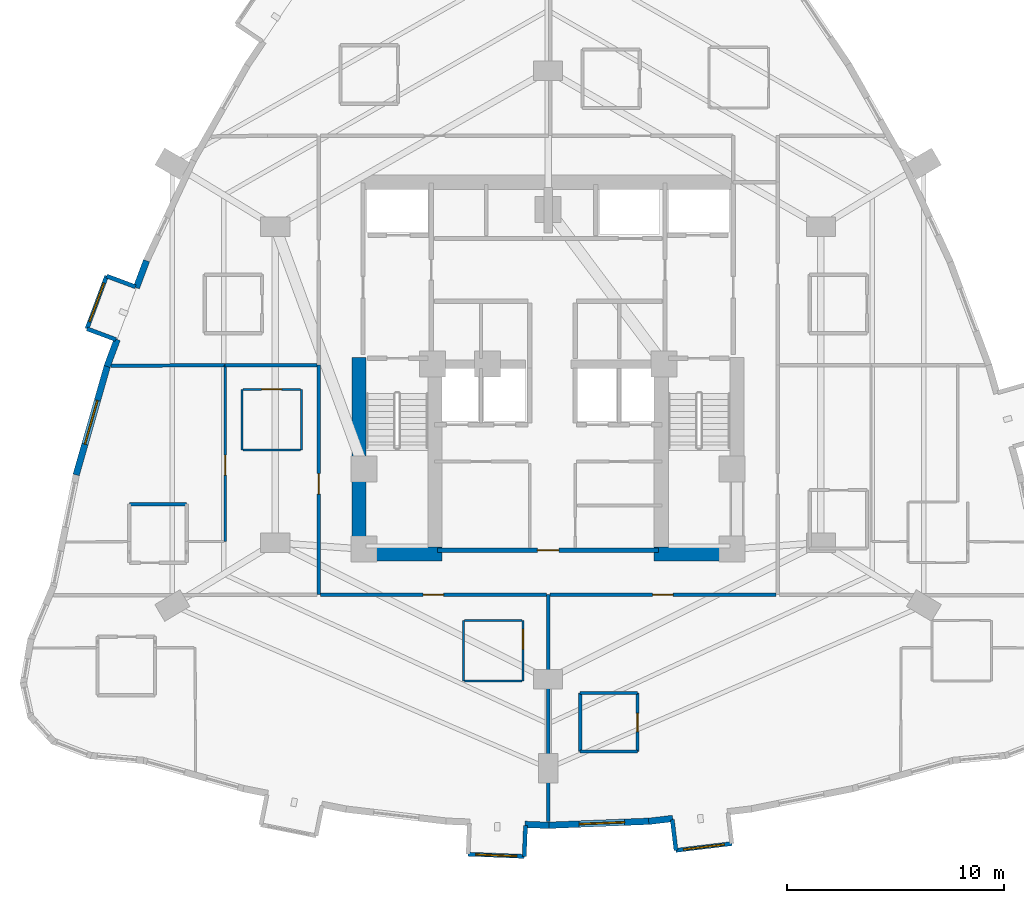
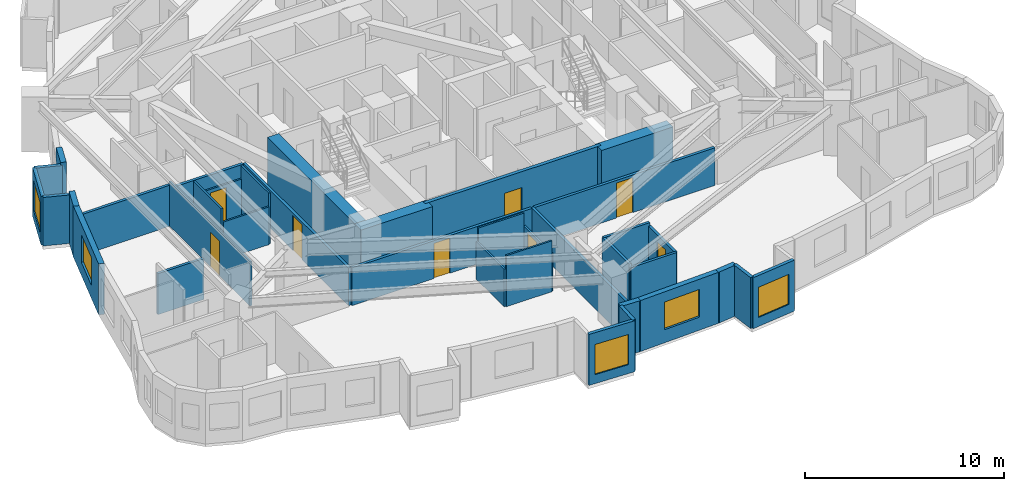
# One storey, part 7 of 13: 37 walls, 8 doors, 5 windows, 13 openings.
"""IFC4 building model written with IfcOpenShell, lengths in metres."""

from ifc_helpers import new_model, si_unit, direction, frame, frame_2d, origin, place, context, subcontext, project, spatial, rectangle, extrude, material, layer, layer_set, type_object, element, fill, save


model = new_model("IFC4")

# Units and contexts
model_context = context("Model", 3, precision=1e-05, world=origin(), true_north=direction((0.0, 1.0)))
body_context = subcontext(model_context, "Body", "Model", "MODEL_VIEW")
ifc_project = project(units=[si_unit("LENGTHUNIT", "METRE"), si_unit("AREAUNIT", "SQUARE_METRE"), si_unit("VOLUMEUNIT", "CUBIC_METRE"), si_unit("PLANEANGLEUNIT", "RADIAN"), si_unit("MASSUNIT", "GRAM", prefix="KILO")], contexts=[model_context])

# Site, building, storey
site_placement = place(None, origin())
site = spatial("IfcSite", under=ifc_project, at=site_placement, CompositionType="ELEMENT")
building_placement = place(site_placement, origin())
building = spatial("IfcBuilding", under=site, at=building_placement, Name="Miruveldt Soraemaru", CompositionType="ELEMENT")
storey_placement = place(building_placement, frame((0.0, 0.0, 76.800048828125)))
storey = spatial("IfcBuildingStorey", under=building, at=storey_placement, Name="L21", CompositionType="ELEMENT", Elevation=76.800048828125)

# Walls
ifc_material_1 = material(Name="White powder-coated aluminium EN AW-6060 T6", Category="aluminium")
ifc_layer_1 = layer(ifc_material_1, 0.18994140625, Name="White powder-coated aluminium EN AW-6060 T6", Category="aluminium")
ifc_layer_set_1 = layer_set([ifc_layer_1], Name="White powder-coated aluminium EN AW-6060 T6")
wall_type_1 = type_object("IfcWallType", Name="WALL-BAY-ALU190", PredefinedType="SOLIDWALL", material=ifc_layer_set_1)
wall_1_placement = place(storey_placement, frame((24.942626953125, 47.62060546875, 0.0), z_axis=(0.0, 0.0, 1.0), x_axis=(-0.937108491365, 0.349038214831, 0.0)))
element("IfcWall", 1, at=wall_1_placement, inside=storey, type_object=wall_type_1, Name="L21 Bay Window Side Cheek 2L", PredefinedType="SOLIDWALL", context=body_context, shape_type="SweptSolid", body=[
    extrude(rectangle(XDim=1.4248046875, YDim=0.18994140625, at=frame_2d((0.71240234375, 0.0))), origin(), (0.0, 0.0, 1.0), 2.974853515625),
])
wall_2_placement = place(storey_placement, frame((22.69970703125, 45.681640625, 0.0), z_axis=(0.0, 0.0, 1.0), x_axis=(0.937073323404, -0.34913262031, 0.0)))
element("IfcWall", 2, at=wall_2_placement, inside=storey, type_object=wall_type_1, Name="L21 Bay Window Side Cheek 2R", PredefinedType="SOLIDWALL", context=body_context, shape_type="SweptSolid", body=[
    extrude(rectangle(XDim=1.425048828125, YDim=0.18994140625, at=frame_2d((0.71240234375, 0.0))), origin(), (0.0, 0.0, 1.0), 2.974853515625),
])

# Wall, opening, window
wall_3_placement = place(storey_placement, frame((23.607421875, 48.117919921875, 0.0), z_axis=(0.0, 0.0, 1.0), x_axis=(-0.349136509553, -0.93707187435, 0.0)))
wall_3 = element("IfcWall", 3, at=wall_3_placement, inside=storey, type_object=wall_type_1, Name="L21 Bay Window Front Frame 2", PredefinedType="SOLIDWALL", context=body_context, shape_type="SweptSolid", body=[
    extrude(rectangle(XDim=2.599853515625, YDim=0.18994140625, at=frame_2d((1.2998046875, 0.0))), origin(), (0.0, 0.0, 1.0), 2.974853515625),
])
opening_1_placement = place(wall_3_placement, frame((0.35009765625, 0.0, 0.550048828125)))
opening_1 = element("IfcOpeningElement", 4, at=opening_1_placement, cuts=wall_3, Name="Opening WN-6", PredefinedType="OPENING", context=body_context, shape_type="SweptSolid", body=[
    extrude(rectangle(XDim=1.89990234375, YDim=1.85009765625, at=frame_2d((0.949951171875, 0.925048828125))), frame((0.0, 0.10498046875, 0.0), z_axis=(0.0, -1.0, 0.0), x_axis=(1.0, 0.0, 0.0)), (0.0, 0.0, 1.0), 0.2099609375),
])
ifc_material_2 = material(Name="Triple low-e insulated glazing", Category="glass")
window_type_1 = type_object("IfcWindowType", Name="WIN-BAYW-1900x1850", PartitioningType="SINGLE_PANEL", PredefinedType="WINDOW", material=ifc_material_2)
window_1_placement = place(opening_1_placement, origin())
window_1 = element("IfcWindow", 5, at=window_1_placement, inside=storey, type_object=window_type_1, Name="L21 Projecting Bay Window 2", OverallHeight=1.85009765625, OverallWidth=1.89990234375, PartitioningType="SINGLE_PANEL", PredefinedType="WINDOW", context=body_context, shape_type="SweptSolid", body=[
    extrude(rectangle(XDim=1.89990234375, YDim=1.85009765625, at=frame_2d((0.949951171875, 0.925048828125))), frame((0.0, 0.030029296875, 0.0), z_axis=(0.0, -1.0, 0.0), x_axis=(1.0, 0.0, 0.0)), (0.0, 0.0, 1.0), 0.06005859375),
])
fill(opening_1, window_1)

# Wall
wall_4_placement = place(storey_placement, frame((42.89990234375, 21.310546875, 0.0), z_axis=(0.0, 0.0, 1.0), x_axis=(0.039920142234, 0.999202873417, 0.0)))
element("IfcWall", 6, at=wall_4_placement, inside=storey, type_object=wall_type_1, Name="L21 Bay Window Side Cheek 4R", PredefinedType="SOLIDWALL", context=body_context, shape_type="SweptSolid", body=[
    extrude(rectangle(XDim=1.425048828125, YDim=0.18994140625, at=frame_2d((0.71240234375, 0.0))), origin(), (0.0, 0.0, 1.0), 3.125),
])

# Wall, opening, window
wall_5_placement = place(storey_placement, frame((40.302001953125, 21.41455078125, 0.0), z_axis=(0.0, 0.0, 1.0), x_axis=(0.999199608139, -0.040001788654, 0.0)))
wall_5 = element("IfcWall", 7, at=wall_5_placement, inside=storey, type_object=wall_type_1, Name="L21 Bay Window Front Frame 4", PredefinedType="SOLIDWALL", context=body_context, shape_type="SweptSolid", body=[
    extrude(rectangle(XDim=2.60009765625, YDim=0.18994140625, at=frame_2d((1.300048828125, 0.0))), origin(), (0.0, 0.0, 1.0), 3.125),
])
opening_2_placement = place(wall_5_placement, frame((0.35009765625, 0.0, 0.550048828125)))
opening_2 = element("IfcOpeningElement", 8, at=opening_2_placement, cuts=wall_5, Name="Opening WN-6", PredefinedType="OPENING", context=body_context, shape_type="SweptSolid", body=[
    extrude(rectangle(XDim=1.89990234375, YDim=1.85009765625, at=frame_2d((0.949951171875, 0.925048828125))), frame((0.0, 0.10498046875, 0.0), z_axis=(0.0, -1.0, 0.0), x_axis=(1.0, 0.0, 0.0)), (0.0, 0.0, 1.0), 0.2099609375),
])
window_2_placement = place(opening_2_placement, origin())
window_2 = element("IfcWindow", 9, at=window_2_placement, inside=storey, type_object=window_type_1, Name="L21 Projecting Bay Window 4", OverallHeight=1.85009765625, OverallWidth=1.89990234375, PartitioningType="SINGLE_PANEL", PredefinedType="WINDOW", context=body_context, shape_type="SweptSolid", body=[
    extrude(rectangle(XDim=1.89990234375, YDim=1.85009765625, at=frame_2d((0.949951171875, 0.925048828125))), frame((0.0, 0.030029296875, 0.0), z_axis=(0.0, -1.0, 0.0), x_axis=(1.0, 0.0, 0.0)), (0.0, 0.0, 1.0), 0.06005859375),
])
fill(opening_2, window_2)

# Wall
wall_6_placement = place(storey_placement, frame((49.735595703125, 23.00634765625, 0.0), z_axis=(0.0, 0.0, 1.0), x_axis=(0.119226278009, -0.992867108244, 0.0)))
element("IfcWall", 10, at=wall_6_placement, inside=storey, type_object=wall_type_1, Name="L21 Bay Window Side Cheek 5L", PredefinedType="SOLIDWALL", context=body_context, shape_type="SweptSolid", body=[
    extrude(rectangle(XDim=1.42529296875, YDim=0.18994140625, at=frame_2d((0.712646484375, 0.0))), origin(), (0.0, 0.0, 1.0), 3.125),
])

# Wall, opening, window
wall_7_placement = place(storey_placement, frame((49.905517578125, 21.59130859375, 0.0), z_axis=(0.0, 0.0, 1.0), x_axis=(0.992874172121, 0.119167438232, 0.0)))
wall_7 = element("IfcWall", 11, at=wall_7_placement, inside=storey, type_object=wall_type_1, Name="L21 Bay Window Front Frame 5", PredefinedType="SOLIDWALL", context=body_context, shape_type="SweptSolid", body=[
    extrude(rectangle(XDim=2.599853515625, YDim=0.18994140625, at=frame_2d((1.2998046875, 0.0))), origin(), (0.0, 0.0, 1.0), 3.125),
])
opening_3_placement = place(wall_7_placement, frame((0.35009765625, 0.0, 0.550048828125)))
opening_3 = element("IfcOpeningElement", 12, at=opening_3_placement, cuts=wall_7, Name="Opening WN-6", PredefinedType="OPENING", context=body_context, shape_type="SweptSolid", body=[
    extrude(rectangle(XDim=1.89990234375, YDim=1.85009765625, at=frame_2d((0.949951171875, 0.925048828125))), frame((0.0, 0.10498046875, 0.0), z_axis=(0.0, -1.0, 0.0), x_axis=(1.0, 0.0, 0.0)), (0.0, 0.0, 1.0), 0.2099609375),
])
window_3_placement = place(opening_3_placement, origin())
window_3 = element("IfcWindow", 13, at=window_3_placement, inside=storey, type_object=window_type_1, Name="L21 Projecting Bay Window 5", OverallHeight=1.85009765625, OverallWidth=1.89990234375, PartitioningType="SINGLE_PANEL", PredefinedType="WINDOW", context=body_context, shape_type="SweptSolid", body=[
    extrude(rectangle(XDim=1.89990234375, YDim=1.85009765625, at=frame_2d((0.949951171875, 0.925048828125))), frame((0.0, 0.030029296875, 0.0), z_axis=(0.0, -1.0, 0.0), x_axis=(1.0, 0.0, 0.0)), (0.0, 0.0, 1.0), 0.06005859375),
])
fill(opening_3, window_3)

# Walls
ifc_material_3 = material(Name="Concrete C80/95 (80 MPa)", Category="concrete")
ifc_layer_2 = layer(ifc_material_3, 0.64990234375, Name="Concrete C80/95 (80 MPa)", Category="concrete")
ifc_layer_set_2 = layer_set([ifc_layer_2], Name="Concrete C80/95 (80 MPa)")
wall_type_2 = type_object("IfcWallType", Name="WALL-CW-650", PredefinedType="SHEAR", material=ifc_layer_set_2)
for number, where, z_axis, x_axis, name in (
    (14, (34.949951171875, 35.27490234375, 0.0), (0.0, 0.0, 1.0), (1.0, 0.0, 0.0), "L21 Central Core Shear Wall S1"),
    (15, (48.89990234375, 35.27490234375, 0.0), (0.0, 0.0, 1.0), (1.0, 0.0, 0.0), "L21 Central Core Shear Wall S2"),
):
    element("IfcWall", number, at=place(storey_placement, frame(where, z_axis=z_axis, x_axis=x_axis)), inside=storey, type_object=wall_type_2, Name=name, PredefinedType="SHEAR", context=body_context, shape_type="SweptSolid", body=[
        extrude(rectangle(XDim=4.150146484375, YDim=0.64990234375, at=frame_2d((2.0751953125, 0.0))), origin(), (0.0, 0.0, 1.0), 3.125),
    ])
wall_8_placement = place(storey_placement, frame((35.27490234375, 34.949951171875, 0.0), z_axis=(0.0, 0.0, 1.0), x_axis=(0.0, 1.0, 0.0)))
element("IfcWall", 16, at=wall_8_placement, inside=storey, type_object=wall_type_2, Name="L21 Central Core Shear Wall W1", PredefinedType="SHEAR", context=body_context, shape_type="SweptSolid", body=[
    extrude(rectangle(XDim=9.400146484375, YDim=0.64990234375, at=frame_2d((4.7001953125, 0.0))), origin(), (0.0, 0.0, 1.0), 3.125),
])
ifc_material_4 = material(Name="Precast concrete C45/55 (45 MPa)", Category="concrete")
ifc_layer_3 = layer(ifc_material_4, 0.300048828125, Name="Precast concrete C45/55 (45 MPa)", Category="concrete")
ifc_layer_set_3 = layer_set([ifc_layer_3], Name="Precast concrete C45/55 (45 MPa)")
wall_type_3 = type_object("IfcWallType", Name="WALL-EXT-PC300", PredefinedType="SOLIDWALL", material=ifc_layer_set_3)
for number, where, z_axis, x_axis, name in (
    (17, (25.4501953125, 48.825927734375, 0.0), (0.0, 0.0, 1.0), (-0.349020970694, -0.937114913987, 0.0), "L21 Precast Pier Wall 12A"),
    (18, (24.09716796875, 45.193115234375, 0.0), (0.0, 0.0, 1.0), (-0.349020970694, -0.937114913987, 0.0), "L21 Precast Pier Wall 12B"),
):
    element("IfcWall", number, at=place(storey_placement, frame(where, z_axis=z_axis, x_axis=x_axis)), inside=storey, type_object=wall_type_3, Name=name, PredefinedType="SOLIDWALL", context=body_context, shape_type="SweptSolid", body=[
        extrude(rectangle(XDim=1.336669921875, YDim=0.300048828125, at=frame_2d((0.66845703125, 0.0))), origin(), (0.0, 0.0, 1.0), 3.125),
    ])

# Wall, opening, window
wall_9_placement = place(storey_placement, frame((23.65234375, 44.0068359375, 0.0), z_axis=(0.0, 0.0, 1.0), x_axis=(-0.27494105121, -0.961461085203, 0.0)))
wall_9 = element("IfcWall", 19, at=wall_9_placement, inside=storey, type_object=wall_type_3, Name="L21 Precast Concrete Facade Wall 13", PredefinedType="SOLIDWALL", context=body_context, shape_type="SweptSolid", body=[
    extrude(rectangle(XDim=5.278076171875, YDim=0.300048828125, at=frame_2d((2.63916015625, 0.0))), origin(), (0.0, 0.0, 1.0), 3.125),
])
opening_4_placement = place(wall_9_placement, frame((1.702880859375, 0.0, 0.800048828125)))
opening_4 = element("IfcOpeningElement", 20, at=opening_4_placement, cuts=wall_9, Name="Opening WN-1", PredefinedType="OPENING", context=body_context, shape_type="SweptSolid", body=[
    extrude(rectangle(XDim=2.10009765625, YDim=1.699951171875, at=frame_2d((1.050048828125, 0.85009765625))), frame((0.0, 0.16015625, 0.0), z_axis=(0.0, -1.0, 0.0), x_axis=(1.0, 0.0, 0.0)), (0.0, 0.0, 1.0), 0.320068359375),
])
window_type_2 = type_object("IfcWindowType", Name="WIN-PUNCH-2100x1700", PartitioningType="SINGLE_PANEL", PredefinedType="WINDOW", material=ifc_material_2)
window_4_placement = place(opening_4_placement, origin())
window_4 = element("IfcWindow", 21, at=window_4_placement, inside=storey, type_object=window_type_2, Name="L21 Punched Triple-Glazed Window 13.1", OverallHeight=1.699951171875, OverallWidth=2.10009765625, PartitioningType="SINGLE_PANEL", PredefinedType="WINDOW", context=body_context, shape_type="SweptSolid", body=[
    extrude(rectangle(XDim=2.10009765625, YDim=1.699951171875, at=frame_2d((1.050048828125, 0.85009765625))), frame((0.0, 0.030029296875, 0.0), z_axis=(0.0, -1.0, 0.0), x_axis=(1.0, 0.0, 0.0)), (0.0, 0.0, 1.0), 0.06005859375),
])
fill(opening_4, window_4)

# Wall
wall_10_placement = place(storey_placement, frame((42.928955078125, 22.79052734375, 0.0), z_axis=(0.0, 0.0, 1.0), x_axis=(0.999202719529, -0.039923993871, 0.0)))
element("IfcWall", 22, at=wall_10_placement, inside=storey, type_object=wall_type_3, Name="L21 Precast Pier Wall 24B", PredefinedType="SOLIDWALL", context=body_context, shape_type="SweptSolid", body=[
    extrude(rectangle(XDim=1.10693359375, YDim=0.300048828125, at=frame_2d((0.553466796875, 0.0))), origin(), (0.0, 0.0, 1.0), 3.125),
])

# Wall, opening, window
wall_11_placement = place(storey_placement, frame((43.965087890625, 22.746337890625, 0.0), z_axis=(0.0, 0.0, 1.0), x_axis=(0.99920136889, 0.039957782832, 0.0)))
wall_11 = element("IfcWall", 23, at=wall_11_placement, inside=storey, type_object=wall_type_3, Name="L21 Precast Concrete Facade Wall 25", PredefinedType="SOLIDWALL", context=body_context, shape_type="SweptSolid", body=[
    extrude(rectangle(XDim=4.753662109375, YDim=0.300048828125, at=frame_2d((2.376953125, 0.0))), origin(), (0.0, 0.0, 1.0), 3.125),
])
opening_5_placement = place(wall_11_placement, frame((1.468017578125, 0.0, 0.800048828125)))
opening_5 = element("IfcOpeningElement", 24, at=opening_5_placement, cuts=wall_11, Name="Opening WN-1", PredefinedType="OPENING", context=body_context, shape_type="SweptSolid", body=[
    extrude(rectangle(XDim=2.10009765625, YDim=1.699951171875, at=frame_2d((1.050048828125, 0.85009765625))), frame((0.0, 0.16015625, 0.0), z_axis=(0.0, -1.0, 0.0), x_axis=(1.0, 0.0, 0.0)), (0.0, 0.0, 1.0), 0.320068359375),
])
window_5_placement = place(opening_5_placement, origin())
window_5 = element("IfcWindow", 25, at=window_5_placement, inside=storey, type_object=window_type_2, Name="L21 Punched Triple-Glazed Window 25.1", OverallHeight=1.699951171875, OverallWidth=2.10009765625, PartitioningType="SINGLE_PANEL", PredefinedType="WINDOW", context=body_context, shape_type="SweptSolid", body=[
    extrude(rectangle(XDim=2.10009765625, YDim=1.699951171875, at=frame_2d((1.050048828125, 0.85009765625))), frame((0.0, 0.030029296875, 0.0), z_axis=(0.0, -1.0, 0.0), x_axis=(1.0, 0.0, 0.0)), (0.0, 0.0, 1.0), 0.06005859375),
])
fill(opening_5, window_5)

# Wall
wall_12_placement = place(storey_placement, frame((48.64501953125, 22.930908203125, 0.0), z_axis=(0.0, 0.0, 1.0), x_axis=(0.992888162429, 0.119050816495, 0.0)))
element("IfcWall", 26, at=wall_12_placement, inside=storey, type_object=wall_type_3, Name="L21 Precast Pier Wall 26A", PredefinedType="SOLIDWALL", context=body_context, shape_type="SweptSolid", body=[
    extrude(rectangle(XDim=1.121826171875, YDim=0.300048828125, at=frame_2d((0.56103515625, 0.0))), origin(), (0.0, 0.0, 1.0), 3.125),
])

# Wall, opening, door
ifc_material_5 = material(Name="Gypsum plasterboard lining", Category="gypsum")
ifc_layer_4 = layer(ifc_material_5, 0.10009765625, Name="Gypsum plasterboard lining", Category="gypsum")
ifc_layer_set_4 = layer_set([ifc_layer_4], Name="Gypsum plasterboard lining")
wall_type_4 = type_object("IfcWallType", Name="WALL-INT-P100", PredefinedType="PARTITIONING", material=ifc_layer_set_4)
wall_13_placement = place(storey_placement, frame((29.0849609375, 44.0, 0.0), z_axis=(0.0, 0.0, 1.0), x_axis=(0.0, -1.0, 0.0)))
wall_13 = element("IfcWall", 27, at=wall_13_placement, inside=storey, type_object=wall_type_4, Name="L21 Partition Wall 48", PredefinedType="PARTITIONING", context=body_context, shape_type="SweptSolid", body=[
    extrude(rectangle(XDim=8.14990234375, YDim=0.10009765625, at=frame_2d((4.074951171875, 0.0))), origin(), (0.0, 0.0, 1.0), 2.712890625),
])
opening_6_placement = place(wall_13_placement, frame((4.155029296875, 0.0, 0.0)))
opening_6 = element("IfcOpeningElement", 28, at=opening_6_placement, cuts=wall_13, Name="Opening D3A", PredefinedType="OPENING", context=body_context, shape_type="SweptSolid", body=[
    extrude(rectangle(XDim=0.919921875, YDim=2.10009765625, at=frame_2d((0.4599609375, 1.050048828125))), frame((0.0, 0.06005859375, 0.0), z_axis=(0.0, -1.0, 0.0), x_axis=(1.0, 0.0, 0.0)), (0.0, 0.0, 1.0), 0.1201171875),
])
ifc_material_6 = material(Name="Anodised aluminium EN AW-6063 T6", Category="aluminium")
door_type_1 = type_object("IfcDoorType", Name="DOOR-INT-920", OperationType="NOTDEFINED", PredefinedType="DOOR", material=ifc_material_6)
door_1_placement = place(opening_6_placement, origin())
door_1 = element("IfcDoor", 29, at=door_1_placement, inside=storey, type_object=door_type_1, Name="L21 Unit 2103 BD1 Door", OperationType="SINGLE_SWING_RIGHT", OverallHeight=2.10009765625, OverallWidth=0.919921875, PredefinedType="DOOR", context=body_context, shape_type="SweptSolid", body=[
    extrude(rectangle(XDim=0.919921875, YDim=2.10009765625, at=frame_2d((0.4599609375, 1.050048828125))), frame((0.0, 0.02490234375, 0.0), z_axis=(0.0, -1.0, 0.0), x_axis=(1.0, 0.0, 0.0)), (0.0, 0.0, 1.0), 0.050048828125),
])
fill(opening_6, door_1)

wall_14_placement = place(storey_placement, frame((42.842041015625, 29.409912109375, 0.0), z_axis=(0.0, 0.0, 1.0), x_axis=(0.0, 1.0, 0.0)))
wall_14 = element("IfcWall", 30, at=wall_14_placement, inside=storey, type_object=wall_type_4, Name="L21 Partition Wall 85", PredefinedType="PARTITIONING", context=body_context, shape_type="SweptSolid", body=[
    extrude(rectangle(XDim=2.800048828125, YDim=0.10009765625, at=frame_2d((1.39990234375, 0.0))), origin(), (0.0, 0.0, 1.0), 2.31298828125),
])
opening_7_placement = place(wall_14_placement, frame((1.47998046875, 0.0, 0.0)))
opening_7 = element("IfcOpeningElement", 31, at=opening_7_placement, cuts=wall_14, Name="Opening D3A", PredefinedType="OPENING", context=body_context, shape_type="SweptSolid", body=[
    extrude(rectangle(XDim=0.919921875, YDim=2.10009765625, at=frame_2d((0.4599609375, 1.050048828125))), frame((0.0, 0.06005859375, 0.0), z_axis=(0.0, -1.0, 0.0), x_axis=(1.0, 0.0, 0.0)), (0.0, 0.0, 1.0), 0.1201171875),
])
door_2_placement = place(opening_7_placement, origin())
door_2 = element("IfcDoor", 32, at=door_2_placement, inside=storey, type_object=door_type_1, Name="L21 Unit 2107 KIT Door", OperationType="SINGLE_SWING_RIGHT", OverallHeight=2.10009765625, OverallWidth=0.919921875, PredefinedType="DOOR", context=body_context, shape_type="SweptSolid", body=[
    extrude(rectangle(XDim=0.919921875, YDim=2.10009765625, at=frame_2d((0.4599609375, 1.050048828125))), frame((0.0, 0.02490234375, 0.0), z_axis=(0.0, -1.0, 0.0), x_axis=(1.0, 0.0, 0.0)), (0.0, 0.0, 1.0), 0.050048828125),
])
fill(opening_7, door_2)

wall_15_placement = place(storey_placement, frame((32.554931640625, 42.8798828125, 0.0), z_axis=(0.0, 0.0, 1.0), x_axis=(-1.0, 0.0, 0.0)))
wall_15 = element("IfcWall", 33, at=wall_15_placement, inside=storey, type_object=wall_type_4, Name="L21 Partition Wall 45", PredefinedType="PARTITIONING", context=body_context, shape_type="SweptSolid", body=[
    extrude(rectangle(XDim=2.64990234375, YDim=0.10009765625, at=frame_2d((1.324951171875, 0.0))), origin(), (0.0, 0.0, 1.0), 2.31298828125),
])
opening_8_placement = place(wall_15_placement, frame((0.864990234375, 0.0, 0.0)))
opening_8 = element("IfcOpeningElement", 34, at=opening_8_placement, cuts=wall_15, Name="Opening D3A", PredefinedType="OPENING", context=body_context, shape_type="SweptSolid", body=[
    extrude(rectangle(XDim=0.919921875, YDim=2.10009765625, at=frame_2d((0.4599609375, 1.050048828125))), frame((0.0, 0.06005859375, 0.0), z_axis=(0.0, -1.0, 0.0), x_axis=(1.0, 0.0, 0.0)), (0.0, 0.0, 1.0), 0.1201171875),
])
door_3_placement = place(opening_8_placement, origin())
door_3 = element("IfcDoor", 35, at=door_3_placement, inside=storey, type_object=door_type_1, Name="L21 Unit 2103 KIT Door", OperationType="SINGLE_SWING_LEFT", OverallHeight=2.10009765625, OverallWidth=0.919921875, PredefinedType="DOOR", context=body_context, shape_type="SweptSolid", body=[
    extrude(rectangle(XDim=0.919921875, YDim=2.10009765625, at=frame_2d((0.4599609375, 1.050048828125))), frame((0.0, 0.02490234375, 0.0), z_axis=(0.0, -1.0, 0.0), x_axis=(1.0, 0.0, 0.0)), (0.0, 0.0, 1.0), 0.050048828125),
])
fill(opening_8, door_3)

# Walls
for number, where, z_axis, x_axis, name in (
    (36, (32.60498046875, 40.080078125, 0.0), (0.0, 0.0, 1.0), (0.0, 1.0, 0.0), "L21 Partition Wall 44"),
    (37, (29.85498046875, 42.8798828125, 0.0), (0.0, 0.0, 1.0), (0.0, -1.0, 0.0), "L21 Partition Wall 46"),
):
    element("IfcWall", number, at=place(storey_placement, frame(where, z_axis=z_axis, x_axis=x_axis)), inside=storey, type_object=wall_type_4, Name=name, PredefinedType="PARTITIONING", context=body_context, shape_type="SweptSolid", body=[
        extrude(rectangle(XDim=2.7998046875, YDim=0.10009765625, at=frame_2d((1.39990234375, 0.0))), origin(), (0.0, 0.0, 1.0), 3.125),
    ])
wall_16_placement = place(storey_placement, frame((40.092041015625, 32.2099609375, 0.0), z_axis=(0.0, 0.0, 1.0), x_axis=(0.0, -1.0, 0.0)))
element("IfcWall", 38, at=wall_16_placement, inside=storey, type_object=wall_type_4, Name="L21 Partition Wall 87", PredefinedType="PARTITIONING", context=body_context, shape_type="SweptSolid", body=[
    extrude(rectangle(XDim=2.800048828125, YDim=0.10009765625, at=frame_2d((1.39990234375, 0.0))), origin(), (0.0, 0.0, 1.0), 2.31298828125),
])
wall_17_placement = place(storey_placement, frame((29.905029296875, 40.080078125, 0.0), z_axis=(0.0, 0.0, 1.0), x_axis=(1.0, 0.0, 0.0)))
element("IfcWall", 39, at=wall_17_placement, inside=storey, type_object=wall_type_4, Name="L21 Partition Wall 47", PredefinedType="PARTITIONING", context=body_context, shape_type="SweptSolid", body=[
    extrude(rectangle(XDim=2.64990234375, YDim=0.10009765625, at=frame_2d((1.324951171875, 0.0))), origin(), (0.0, 0.0, 1.0), 2.31298828125),
])
for number, where, z_axis, x_axis, name in (
    (40, (42.7919921875, 32.2099609375, 0.0), (0.0, 0.0, 1.0), (-1.0, 0.0, 0.0), "L21 Partition Wall 86"),
    (41, (40.14208984375, 29.409912109375, 0.0), (0.0, 0.0, 1.0), (1.0, 0.0, 0.0), "L21 Partition Wall 88"),
):
    element("IfcWall", number, at=place(storey_placement, frame(where, z_axis=z_axis, x_axis=x_axis)), inside=storey, type_object=wall_type_4, Name=name, PredefinedType="PARTITIONING", context=body_context, shape_type="SweptSolid", body=[
        extrude(rectangle(XDim=2.64990234375, YDim=0.10009765625, at=frame_2d((1.324951171875, 0.0))), origin(), (0.0, 0.0, 1.0), 3.125),
    ])

# Wall, opening, door
ifc_layer_5 = layer(ifc_material_5, 0.14990234375, Name="Gypsum plasterboard lining", Category="gypsum")
ifc_layer_set_5 = layer_set([ifc_layer_5], Name="Gypsum plasterboard lining")
wall_type_5 = type_object("IfcWallType", Name="WALL-INT-PLUMB", PredefinedType="PLUMBINGWALL", material=ifc_layer_set_5)
wall_18_placement = place(storey_placement, frame((48.1298828125, 26.159912109375, 0.0), z_axis=(0.0, 0.0, 1.0), x_axis=(0.0, 1.0, 0.0)))
wall_18 = element("IfcWall", 42, at=wall_18_placement, inside=storey, type_object=wall_type_5, Name="L21 Partition Wall 96", PredefinedType="PLUMBINGWALL", context=body_context, shape_type="SweptSolid", body=[
    extrude(rectangle(XDim=2.7001953125, YDim=0.14990234375, at=frame_2d((1.35009765625, 0.0))), origin(), (0.0, 0.0, 1.0), 2.512939453125),
])
opening_9_placement = place(wall_18_placement, frame((0.909912109375, 0.0, 0.0)))
opening_9 = element("IfcOpeningElement", 43, at=opening_9_placement, cuts=wall_18, Name="Opening FD3", PredefinedType="OPENING", context=body_context, shape_type="SweptSolid", body=[
    extrude(rectangle(XDim=0.85009765625, YDim=2.10009765625, at=frame_2d((0.425048828125, 1.050048828125))), frame((0.0, 0.0849609375, 0.0), z_axis=(0.0, -1.0, 0.0), x_axis=(1.0, 0.0, 0.0)), (0.0, 0.0, 1.0), 0.169921875),
])
door_type_2 = type_object("IfcDoorType", Name="DOOR-FD3-850", OperationType="NOTDEFINED", PredefinedType="DOOR", material=ifc_material_6)
door_4_placement = place(opening_9_placement, origin())
door_4 = element("IfcDoor", 44, at=door_4_placement, inside=storey, type_object=door_type_2, Name="L21 Unit 2108 BTH Door", OperationType="SINGLE_SWING_LEFT", OverallHeight=2.10009765625, OverallWidth=0.85009765625, PredefinedType="DOOR", context=body_context, shape_type="SweptSolid", body=[
    extrude(rectangle(XDim=0.85009765625, YDim=2.10009765625, at=frame_2d((0.425048828125, 1.050048828125))), frame((0.0, 0.02490234375, 0.0), z_axis=(0.0, -1.0, 0.0), x_axis=(1.0, 0.0, 0.0)), (0.0, 0.0, 1.0), 0.050048828125),
])
fill(opening_9, door_4)

# Walls
wall_19_placement = place(storey_placement, frame((45.47998046875, 28.860107421875, 0.0), z_axis=(0.0, 0.0, 1.0), x_axis=(0.0, -1.0, 0.0)))
element("IfcWall", 45, at=wall_19_placement, inside=storey, type_object=wall_type_5, Name="L21 Partition Wall 98", PredefinedType="PLUMBINGWALL", context=body_context, shape_type="SweptSolid", body=[
    extrude(rectangle(XDim=2.7001953125, YDim=0.14990234375, at=frame_2d((1.35009765625, 0.0))), origin(), (0.0, 0.0, 1.0), 2.712890625),
])
wall_20_placement = place(storey_placement, frame((48.1298828125, 28.860107421875, 0.0), z_axis=(0.0, 0.0, 1.0), x_axis=(-1.0, 0.0, 0.0)))
element("IfcWall", 46, at=wall_20_placement, inside=storey, type_object=wall_type_5, Name="L21 Partition Wall 97", PredefinedType="PLUMBINGWALL", context=body_context, shape_type="SweptSolid", body=[
    extrude(rectangle(XDim=2.64990234375, YDim=0.14990234375, at=frame_2d((1.324951171875, 0.0))), origin(), (0.0, 0.0, 1.0), 2.712890625),
])
for number, where, z_axis, x_axis, name in (
    (47, (45.47998046875, 26.159912109375, 0.0), (0.0, 0.0, 1.0), (1.0, 0.0, 0.0), "L21 Partition Wall 99"),
    (48, (27.304931640625, 37.580078125, 0.0), (0.0, 0.0, 1.0), (-1.0, 0.0, 0.0), "L21 Partition Wall 54"),
):
    element("IfcWall", number, at=place(storey_placement, frame(where, z_axis=z_axis, x_axis=x_axis)), inside=storey, type_object=wall_type_5, Name=name, PredefinedType="PLUMBINGWALL", context=body_context, shape_type="SweptSolid", body=[
        extrude(rectangle(XDim=2.64990234375, YDim=0.14990234375, at=frame_2d((1.324951171875, 0.0))), origin(), (0.0, 0.0, 1.0), 2.512939453125),
    ])

# Wall, opening, door
ifc_material_7 = material(Name="Concrete C40/50 (40 MPa)", Category="concrete")
ifc_layer_6 = layer(ifc_material_7, 0.159912109375, Name="Concrete C40/50 (40 MPa)", Category="concrete")
ifc_layer_set_6 = layer_set([ifc_layer_6], Name="Concrete C40/50 (40 MPa)")
wall_type_6 = type_object("IfcWallType", Name="WALL-INT-RC160", PredefinedType="SOLIDWALL", material=ifc_layer_set_6)
wall_21_placement = place(storey_placement, frame((33.39990234375, 44.0, 0.0), z_axis=(0.0, 0.0, 1.0), x_axis=(0.0, -1.0, 0.0)))
wall_21 = element("IfcWall", 49, at=wall_21_placement, inside=storey, type_object=wall_type_6, Name="L21 Partition Wall 5", PredefinedType="SOLIDWALL", context=body_context, shape_type="SweptSolid", body=[
    extrude(rectangle(XDim=10.60009765625, YDim=0.159912109375, at=frame_2d((5.300048828125, 0.0))), origin(), (0.0, 0.0, 1.0), 2.31298828125),
])
opening_10_placement = place(wall_21_placement, frame((5.0048828125, 0.0, 0.0)))
opening_10 = element("IfcOpeningElement", 50, at=opening_10_placement, cuts=wall_21, Name="Opening FD2", PredefinedType="OPENING", context=body_context, shape_type="SweptSolid", body=[
    extrude(rectangle(XDim=0.949951171875, YDim=2.14990234375, at=frame_2d((0.47509765625, 1.074951171875))), frame((0.0, 0.08984375, 0.0), z_axis=(0.0, -1.0, 0.0), x_axis=(1.0, 0.0, 0.0)), (0.0, 0.0, 1.0), 0.179931640625),
])
door_type_3 = type_object("IfcDoorType", Name="DOOR-FD2-950", OperationType="NOTDEFINED", PredefinedType="DOOR", material=ifc_material_6)
door_5_placement = place(opening_10_placement, origin())
door_5 = element("IfcDoor", 51, at=door_5_placement, inside=storey, type_object=door_type_3, Name="L21 Unit 2103 Entrance Fire Door", OperationType="SINGLE_SWING_LEFT", OverallHeight=2.14990234375, OverallWidth=0.949951171875, PredefinedType="DOOR", context=body_context, shape_type="SweptSolid", body=[
    extrude(rectangle(XDim=0.949951171875, YDim=2.14990234375, at=frame_2d((0.47509765625, 1.074951171875))), frame((0.0, 0.02490234375, 0.0), z_axis=(0.0, -1.0, 0.0), x_axis=(1.0, 0.0, 0.0)), (0.0, 0.0, 1.0), 0.050048828125),
])
fill(opening_10, door_5)

wall_22_placement = place(storey_placement, frame((33.47998046875, 33.39990234375, 0.0), z_axis=(0.0, 0.0, 1.0), x_axis=(1.0, 0.0, 0.0)))
wall_22 = element("IfcWall", 52, at=wall_22_placement, inside=storey, type_object=wall_type_6, Name="L21 Partition Wall 9", PredefinedType="SOLIDWALL", context=body_context, shape_type="SweptSolid", body=[
    extrude(rectangle(XDim=10.43994140625, YDim=0.159912109375, at=frame_2d((5.219970703125, 0.0))), origin(), (0.0, 0.0, 1.0), 2.31298828125),
])
opening_11_placement = place(wall_22_placement, frame((4.7451171875, 0.0, 0.0)))
opening_11 = element("IfcOpeningElement", 53, at=opening_11_placement, cuts=wall_22, Name="Opening FD2", PredefinedType="OPENING", context=body_context, shape_type="SweptSolid", body=[
    extrude(rectangle(XDim=0.949951171875, YDim=2.14990234375, at=frame_2d((0.47509765625, 1.074951171875))), frame((0.0, 0.08984375, 0.0), z_axis=(0.0, -1.0, 0.0), x_axis=(1.0, 0.0, 0.0)), (0.0, 0.0, 1.0), 0.179931640625),
])
door_6_placement = place(opening_11_placement, origin())
door_6 = element("IfcDoor", 54, at=door_6_placement, inside=storey, type_object=door_type_3, Name="L21 Unit 2107 Entrance Fire Door", OperationType="SINGLE_SWING_RIGHT", OverallHeight=2.14990234375, OverallWidth=0.949951171875, PredefinedType="DOOR", context=body_context, shape_type="SweptSolid", body=[
    extrude(rectangle(XDim=0.949951171875, YDim=2.14990234375, at=frame_2d((0.47509765625, 1.074951171875))), frame((0.0, 0.02490234375, 0.0), z_axis=(0.0, -1.0, 0.0), x_axis=(1.0, 0.0, 0.0)), (0.0, 0.0, 1.0), 0.050048828125),
])
fill(opening_11, door_6)

wall_23_placement = place(storey_placement, frame((44.080078125, 33.39990234375, 0.0), z_axis=(0.0, 0.0, 1.0), x_axis=(1.0, 0.0, 0.0)))
wall_23 = element("IfcWall", 55, at=wall_23_placement, inside=storey, type_object=wall_type_6, Name="L21 Partition Wall 10", PredefinedType="SOLIDWALL", context=body_context, shape_type="SweptSolid", body=[
    extrude(rectangle(XDim=10.43994140625, YDim=0.159912109375, at=frame_2d((5.219970703125, 0.0))), origin(), (0.0, 0.0, 1.0), 2.31298828125),
])
opening_12_placement = place(wall_23_placement, frame((4.7451171875, 0.0, 0.0)))
opening_12 = element("IfcOpeningElement", 56, at=opening_12_placement, cuts=wall_23, Name="Opening FD2", PredefinedType="OPENING", context=body_context, shape_type="SweptSolid", body=[
    extrude(rectangle(XDim=0.949951171875, YDim=2.14990234375, at=frame_2d((0.47509765625, 1.074951171875))), frame((0.0, 0.08984375, 0.0), z_axis=(0.0, -1.0, 0.0), x_axis=(1.0, 0.0, 0.0)), (0.0, 0.0, 1.0), 0.179931640625),
])
door_7_placement = place(opening_12_placement, origin())
door_7 = element("IfcDoor", 57, at=door_7_placement, inside=storey, type_object=door_type_3, Name="L21 Unit 2108 Entrance Fire Door", OperationType="SINGLE_SWING_RIGHT", OverallHeight=2.14990234375, OverallWidth=0.949951171875, PredefinedType="DOOR", context=body_context, shape_type="SweptSolid", body=[
    extrude(rectangle(XDim=0.949951171875, YDim=2.14990234375, at=frame_2d((0.47509765625, 1.074951171875))), frame((0.0, 0.02490234375, 0.0), z_axis=(0.0, -1.0, 0.0), x_axis=(1.0, 0.0, 0.0)), (0.0, 0.0, 1.0), 0.050048828125),
])
fill(opening_12, door_7)

# Walls
wall_24_placement = place(storey_placement, frame((44.0, 22.9130859375, 0.0), z_axis=(0.0, 0.0, 1.0), x_axis=(0.0, 1.0, 0.0)))
element("IfcWall", 58, at=wall_24_placement, inside=storey, type_object=wall_type_6, Name="L21 Partition Wall 92", PredefinedType="SOLIDWALL", context=body_context, shape_type="SweptSolid", body=[
    extrude(rectangle(XDim=10.48681640625, YDim=0.159912109375, at=frame_2d((5.243408203125, 0.0))), origin(), (0.0, 0.0, 1.0), 2.31298828125),
])
wall_25_placement = place(storey_placement, frame((29.094970703125, 44.0, 0.0), z_axis=(0.0, 0.0, 1.0), x_axis=(-0.999985845773, -0.005320550211, 0.0)))
element("IfcWall", 59, at=wall_25_placement, inside=storey, type_object=wall_type_6, Name="L21 Partition Wall 56", PredefinedType="SOLIDWALL", context=body_context, shape_type="SweptSolid", body=[
    extrude(rectangle(XDim=5.27685546875, YDim=0.159912109375, at=frame_2d((2.638427734375, 0.0))), origin(), (0.0, 0.0, 1.0), 2.512939453125),
])
wall_26_placement = place(storey_placement, frame((33.31591796875, 44.0, 0.0), z_axis=(0.0, 0.0, 1.0), x_axis=(-1.0, 0.0, 0.0)))
element("IfcWall", 60, at=wall_26_placement, inside=storey, type_object=wall_type_6, Name="L21 Partition Wall 51", PredefinedType="SOLIDWALL", context=body_context, shape_type="SweptSolid", body=[
    extrude(rectangle(XDim=4.240966796875, YDim=0.159912109375, at=frame_2d((2.12060546875, 0.0))), origin(), (0.0, 0.0, 1.0), 2.31298828125),
])

# Wall, opening, door
ifc_layer_7 = layer(ifc_material_7, 0.199951171875, Name="Concrete C40/50 (40 MPa)", Category="concrete")
ifc_layer_set_7 = layer_set([ifc_layer_7], Name="Concrete C40/50 (40 MPa)")
wall_type_7 = type_object("IfcWallType", Name="WALL-INT-RC200", PredefinedType="SOLIDWALL", material=ifc_layer_set_7)
wall_27_placement = place(storey_placement, frame((38.89990234375, 35.449951171875, 0.0), z_axis=(0.0, 0.0, 1.0), x_axis=(1.0, 0.0, 0.0)))
wall_27 = element("IfcWall", 61, at=wall_27_placement, inside=storey, type_object=wall_type_7, Name="L21 Core Compartment Wall CS-S", PredefinedType="SOLIDWALL", context=body_context, shape_type="SweptSolid", body=[
    extrude(rectangle(XDim=10.2001953125, YDim=0.199951171875, at=frame_2d((5.10009765625, 0.0))), origin(), (0.0, 0.0, 1.0), 3.125),
])
opening_13_placement = place(wall_27_placement, frame((4.60009765625, 0.0, 0.0)))
opening_13 = element("IfcOpeningElement", 62, at=opening_13_placement, cuts=wall_27, Name="Opening FD1", PredefinedType="OPENING", context=body_context, shape_type="SweptSolid", body=[
    extrude(rectangle(XDim=1.0, YDim=2.14990234375, at=frame_2d((0.5, 1.074951171875))), frame((0.0, 0.10986328125, 0.0), z_axis=(0.0, -1.0, 0.0), x_axis=(1.0, 0.0, 0.0)), (0.0, 0.0, 1.0), 0.219970703125),
])
door_type_4 = type_object("IfcDoorType", Name="DOOR-FD1-1000", OperationType="NOTDEFINED", PredefinedType="DOOR", material=ifc_material_6)
door_8_placement = place(opening_13_placement, origin())
door_8 = element("IfcDoor", 63, at=door_8_placement, inside=storey, type_object=door_type_4, Name="L21 Core South Lobby Fire Door", OperationType="SINGLE_SWING_LEFT", OverallHeight=2.14990234375, OverallWidth=1.0, PredefinedType="DOOR", context=body_context, shape_type="SweptSolid", body=[
    extrude(rectangle(XDim=1.0, YDim=2.14990234375, at=frame_2d((0.5, 1.074951171875))), frame((0.0, 0.02490234375, 0.0), z_axis=(0.0, -1.0, 0.0), x_axis=(1.0, 0.0, 0.0)), (0.0, 0.0, 1.0), 0.050048828125),
])
fill(opening_13, door_8)

save(model, "model.ifc")
